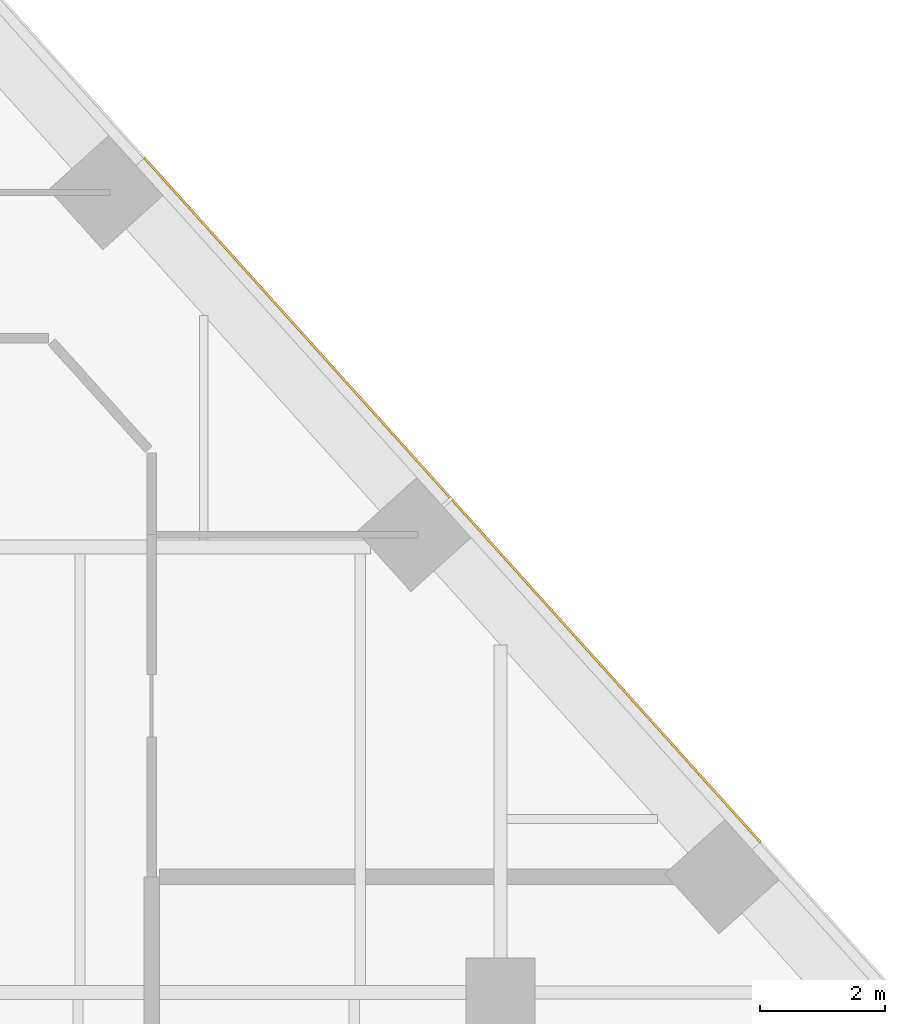
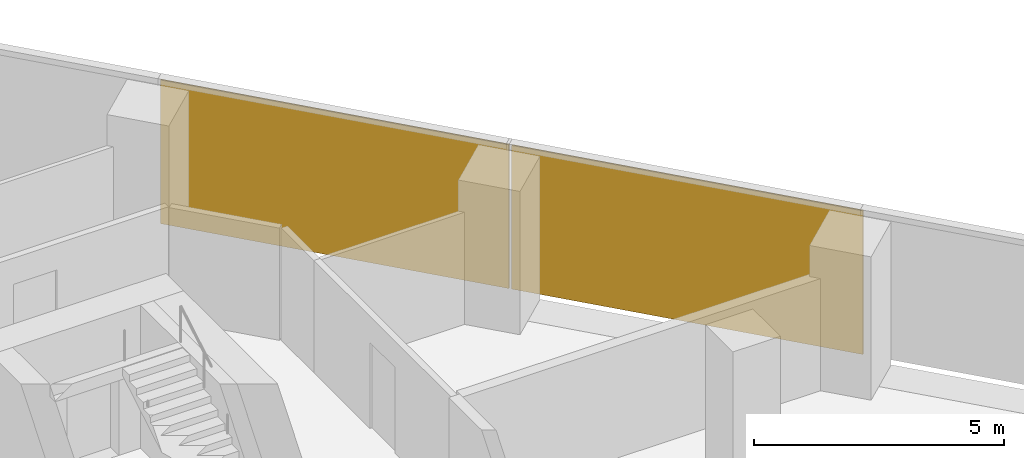
# One storey, part 16 of 16: 2 coverings, 1 element without a shape of its own.
"""IFC4 building model written with IfcOpenShell, lengths in metres."""

from ifc_helpers import new_model, si_unit, direction, frame, origin, origin_2d, place, context, subcontext, project, spatial, rectangle, extrude, material, layer, layer_set, type_object, element, aggregate, save


model = new_model("IFC4")

# Units and contexts
model_context = context("Model", 3, precision=1e-05, world=origin(), true_north=direction((0.0, 1.0)))
body_context = subcontext(model_context, "Body", "Model", "MODEL_VIEW")
ifc_project = project(units=[si_unit("LENGTHUNIT", "METRE"), si_unit("AREAUNIT", "SQUARE_METRE"), si_unit("VOLUMEUNIT", "CUBIC_METRE"), si_unit("PLANEANGLEUNIT", "RADIAN"), si_unit("MASSUNIT", "GRAM", prefix="KILO")], contexts=[model_context])

# Site, building, storey
site_placement = place(None, origin())
site = spatial("IfcSite", under=ifc_project, at=site_placement, CompositionType="ELEMENT")
building_placement = place(site_placement, origin())
building = spatial("IfcBuilding", under=site, at=building_placement, Name="Isthmus Gate Tower", CompositionType="ELEMENT")
storey_placement = place(building_placement, frame((0.0, 0.0, 192.699951171875)))
storey = spatial("IfcBuildingStorey", under=building, at=storey_placement, Name="L48", CompositionType="ELEMENT", Elevation=192.699951171875)

# Curtain wall, coverings
ifc_material_1 = material(Name="Aluminium, pale champagne anodised", Category="aluminium")
ifc_layer_1 = layer(ifc_material_1, 0.199951171875)
ifc_layer_set_1 = layer_set([ifc_layer_1], Name="CW-1 UNITISED CURTAIN WALL 200 DEEP")
curtain_wall_type = type_object("IfcCurtainWallType", Name="CW-1 UNITISED CURTAIN WALL 200 DEEP", PredefinedType="NOTDEFINED", material=ifc_layer_set_1)
curtain_wall_placement = place(storey_placement, origin())
curtain_wall = element("IfcCurtainWall", 1, at=curtain_wall_placement, inside=storey, type_object=curtain_wall_type, Name="CW-1 NE L48", PredefinedType="NOTDEFINED")
ifc_material_2 = material(Name="Aluminium composite panel, pale champagne anodised", Category="aluminium")
ifc_layer_2 = layer(ifc_material_2, 0.035888671875)
ifc_layer_set_2 = layer_set([ifc_layer_2], Name="CW-1 PALE METAL PANEL 36")
covering_type = type_object("IfcCoveringType", Name="CW-1 PALE METAL PANEL 36", PredefinedType="CLADDING", material=ifc_layer_set_2)
covering_1_placement = place(storey_placement, frame((25.70068359375, 12.659423828125, 0.0), z_axis=(0.0, 0.0, 1.0), x_axis=(-0.669130606359, 0.743144825477, 0.0)))
covering_1 = element("IfcCovering", 2, at=covering_1_placement, type_object=covering_type, Name="CW-1 pale metal panel", PredefinedType="CLADDING", context=body_context, shape_type="SweptSolid", body=[
    extrude(rectangle(XDim=7.390869140625, YDim=0.035888671875, at=origin_2d()), origin(), (0.0, 0.0, 1.0), 3.510009765625),
])
covering_2_placement = place(storey_placement, frame((20.735107421875, 18.17431640625, 0.0), z_axis=(0.0, 0.0, 1.0), x_axis=(-0.669130606359, 0.743144825477, 0.0)))
covering_2 = element("IfcCovering", 3, at=covering_2_placement, type_object=covering_type, Name="CW-1 pale metal panel", PredefinedType="CLADDING", context=body_context, shape_type="SweptSolid", body=[
    extrude(rectangle(XDim=7.330810546875, YDim=0.035888671875, at=origin_2d()), origin(), (0.0, 0.0, 1.0), 3.510009765625),
])
aggregate(curtain_wall, [covering_1, covering_2])

save(model, "model.ifc")
